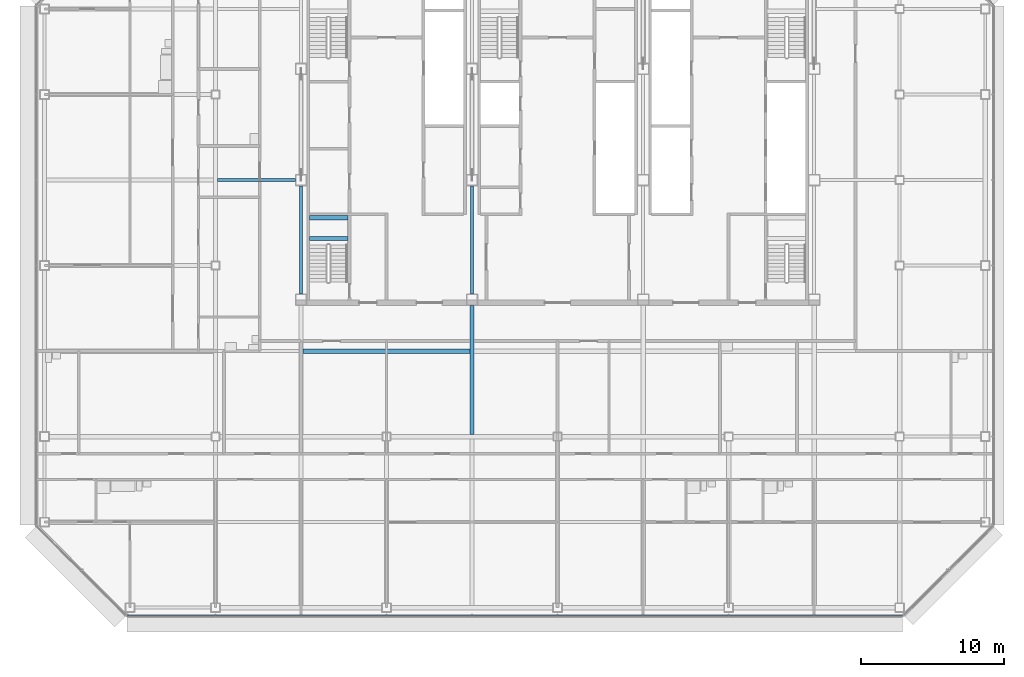
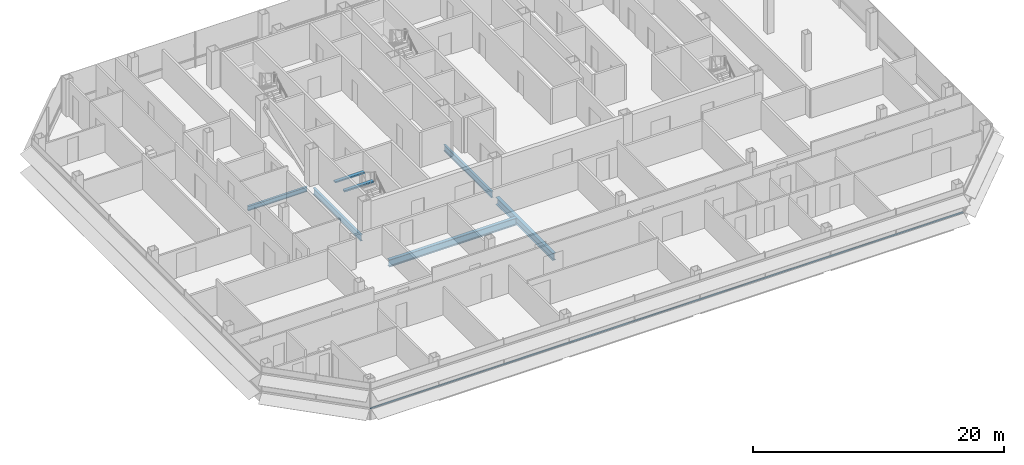
# One storey, part 7 of 27: 7 beams, 1 member, 1 element without a shape of its own.
"""IFC4 building model written with IfcOpenShell, lengths in metres."""

from ifc_helpers import new_model, si_unit, direction, frame, origin, origin_2d, place, context, subcontext, project, spatial, rectangle, i_section, extrude, material, material_profile, profile_set, type_object, element, aggregate, save


model = new_model("IFC4")

# Units and contexts
model_context = context("Model", 3, precision=1e-05, world=origin(), true_north=direction((0.0, 1.0)))
body_context = subcontext(model_context, "Body", "Model", "MODEL_VIEW")
ifc_project = project(units=[si_unit("LENGTHUNIT", "METRE"), si_unit("AREAUNIT", "SQUARE_METRE"), si_unit("VOLUMEUNIT", "CUBIC_METRE"), si_unit("PLANEANGLEUNIT", "RADIAN"), si_unit("MASSUNIT", "GRAM", prefix="KILO")], contexts=[model_context])

# Site, building, storey
site_placement = place(None, origin())
site = spatial("IfcSite", under=ifc_project, at=site_placement, CompositionType="ELEMENT")
building_placement = place(site_placement, origin())
building = spatial("IfcBuilding", under=site, at=building_placement, Name="Sorahane Residences", CompositionType="ELEMENT")
storey_placement = place(building_placement, frame((0.0, 0.0, 239.60009765625)))
storey = spatial("IfcBuildingStorey", under=building, at=storey_placement, Name="L56", CompositionType="ELEMENT", Elevation=239.60009765625)

# Curtain wall, member
ifc_material_1 = material(Name="Dark low-e glass and black anodised aluminium", Category="aluminium")
curtain_wall_type = type_object("IfcCurtainWallType", Name="Curtain wall CW-1 Typical unitised wall", PredefinedType="NOTDEFINED", material=ifc_material_1)
curtain_wall_placement = place(storey_placement, origin())
curtain_wall = element("IfcCurtainWall", 1, at=curtain_wall_placement, inside=storey, type_object=curtain_wall_type, Name="CW-1 curtain wall L56 S1", PredefinedType="NOTDEFINED")
ifc_material_2 = material(Name="Black anodised aluminium", Category="aluminium")
ifc_material_profile_1 = material_profile(ifc_material_2, rectangle(XDim=0.10009765625, YDim=0.06005859375, at=origin_2d()), Name="Curtain wall transom CW-1 black anodised aluminium 60x100")
ifc_profile_set_1 = profile_set([ifc_material_profile_1], Name="Black anodised aluminium")
member_type = type_object("IfcMemberType", Name="Curtain wall transom CW-1 black anodised aluminium 60x100", PredefinedType="USERDEFINED", material=ifc_profile_set_1)
member_placement = place(storey_placement, frame((-6.198486328125, -0.530029296875, 0.89990234375), z_axis=(1.0, 0.0, 0.0), x_axis=(0.0, 1.0, 0.0)))
member = element("IfcMember", 2, at=member_placement, type_object=member_type, Name="CW-1 transom L56 S1", ObjectType="TRANSOM", PredefinedType="USERDEFINED", context=body_context, shape_type="SweptSolid", body=[
    extrude(rectangle(XDim=0.10009765625, YDim=0.06005859375, at=origin_2d()), origin(), (0.0, 0.0, 1.0), 54.39697265625),
])
aggregate(curtain_wall, [member])

# Beams
ifc_material_3 = material(Name="Concrete C40", Category="concrete")
ifc_material_profile_2 = material_profile(ifc_material_3, rectangle(XDim=0.300048828125, YDim=0.139892578125, at=origin_2d()), Name="300x140")
ifc_profile_set_2 = profile_set([ifc_material_profile_2], Name="Concrete C40")
beam_type_1 = type_object("IfcBeamType", Name="RC landing beam 300 x 140 Concrete C40", PredefinedType="BEAM", material=ifc_profile_set_2)
for number, where, z_axis, x_axis, name in (
    (3, (6.60009765625, 25.89990234375, 1.52978515625), (1.0, 0.0, 0.0), (0.0, 1.0, 0.0), "Landing beam"),
    (4, (6.60009765625, 27.35009765625, 1.52978515625), (1.0, 0.0, 0.0), (0.0, 1.0, 0.0), "Landing beam"),
):
    element("IfcBeam", number, at=place(storey_placement, frame(where, z_axis=z_axis, x_axis=x_axis)), inside=storey, type_object=beam_type_1, Name=name, PredefinedType="BEAM", context=body_context, shape_type="SweptSolid", body=[
        extrude(rectangle(XDim=0.300048828125, YDim=0.139892578125, at=origin_2d()), origin(), (0.0, 0.0, 1.0), 2.699951171875),
    ])
ifc_material_4 = material(Name="Steel Q355B", Category="steel")
ifc_material_profile_3 = material_profile(ifc_material_4, i_section(OverallWidth=0.199951171875, OverallDepth=0.449951171875, WebThickness=0.009033203125, FlangeThickness=0.013916015625, FilletRadius=0.02001953125, at=origin_2d()), Name="HN 450x200x9x14")
ifc_profile_set_3 = profile_set([ifc_material_profile_3], Name="Steel Q355B")
beam_type_2 = type_object("IfcBeamType", Name="Steel floor beam HN 450x200x9x14 Q355B", PredefinedType="BEAM", material=ifc_profile_set_3)
beam_1_placement = place(storey_placement, frame((0.14990234375, 30.0, -0.405029296875), z_axis=(1.0, 0.0, 0.0), x_axis=(0.0, 1.0, 0.0)))
element("IfcBeam", 5, at=beam_1_placement, inside=storey, type_object=beam_type_2, Name="Beam L56 086", PredefinedType="BEAM", context=body_context, shape_type="SweptSolid", body=[
    extrude(i_section(OverallWidth=0.199951171875, OverallDepth=0.449951171875, WebThickness=0.009033203125, FlangeThickness=0.013916015625, FilletRadius=0.02001953125, at=origin_2d()), origin(), (0.0, 0.0, 1.0), 5.4501953125),
])
ifc_material_5 = material(Name="Steel Q355B", Category="steel")
ifc_material_profile_4 = material_profile(ifc_material_5, i_section(OverallWidth=0.199951171875, OverallDepth=0.60009765625, WebThickness=0.010986328125, FlangeThickness=0.01708984375, FilletRadius=0.02392578125, at=origin_2d()), Name="HN 600x200x11x17")
ifc_profile_set_4 = profile_set([ifc_material_profile_4], Name="Steel Q355B")
beam_type_3 = type_object("IfcBeamType", Name="Steel floor beam HN 600x200x11x17 Q355B", PredefinedType="BEAM", material=ifc_profile_set_4)
for number, where, z_axis, x_axis, name in (
    (6, (6.0, 22.0, -0.47998046875), (0.0, 1.0, 0.0), (-1.0, 0.0, 0.0), "Beam L56 030"),
    (7, (18.0, 22.0, -0.47998046875), (0.0, 1.0, 0.0), (-1.0, 0.0, 0.0), "Beam L56 038"),
):
    element("IfcBeam", number, at=place(storey_placement, frame(where, z_axis=z_axis, x_axis=x_axis)), inside=storey, type_object=beam_type_3, Name=name, PredefinedType="BEAM", context=body_context, shape_type="SweptSolid", body=[
        extrude(i_section(OverallWidth=0.199951171875, OverallDepth=0.60009765625, WebThickness=0.010986328125, FlangeThickness=0.01708984375, FilletRadius=0.02392578125, at=origin_2d()), origin(), (0.0, 0.0, 1.0), 7.60009765625),
    ])
ifc_material_6 = material(Name="Steel Q355B", Category="steel")
ifc_material_profile_5 = material_profile(ifc_material_6, i_section(OverallWidth=0.300048828125, OverallDepth=0.699951171875, WebThickness=0.012939453125, FlangeThickness=0.02392578125, FilletRadius=0.028076171875, at=origin_2d()), Name="HN 700x300x13x24")
ifc_profile_set_5 = profile_set([ifc_material_profile_5], Name="Steel Q355B")
beam_type_4 = type_object("IfcBeamType", Name="Steel floor beam HN 700x300x13x24 Q355B", PredefinedType="BEAM", material=ifc_profile_set_5)
beam_2_placement = place(storey_placement, frame((18.0, 12.14990234375, -0.530029296875), z_axis=(0.0, 1.0, 0.0), x_axis=(-1.0, 0.0, 0.0)))
element("IfcBeam", 8, at=beam_2_placement, inside=storey, type_object=beam_type_4, Name="Beam L56 037", PredefinedType="BEAM", context=body_context, shape_type="SweptSolid", body=[
    extrude(i_section(OverallWidth=0.300048828125, OverallDepth=0.699951171875, WebThickness=0.012939453125, FlangeThickness=0.02392578125, FilletRadius=0.028076171875, at=origin_2d()), origin(), (0.0, 0.0, 1.0), 9.050048828125),
])
beam_3_placement = place(storey_placement, frame((6.14990234375, 18.0, -0.530029296875), z_axis=(1.0, 0.0, 0.0), x_axis=(0.0, 1.0, 0.0)))
element("IfcBeam", 9, at=beam_3_placement, inside=storey, type_object=beam_type_4, Name="Beam L56 080", PredefinedType="BEAM", context=body_context, shape_type="SweptSolid", body=[
    extrude(i_section(OverallWidth=0.300048828125, OverallDepth=0.699951171875, WebThickness=0.012939453125, FlangeThickness=0.02392578125, FilletRadius=0.028076171875, at=origin_2d()), origin(), (0.0, 0.0, 1.0), 11.7001953125),
])

save(model, "model.ifc")
